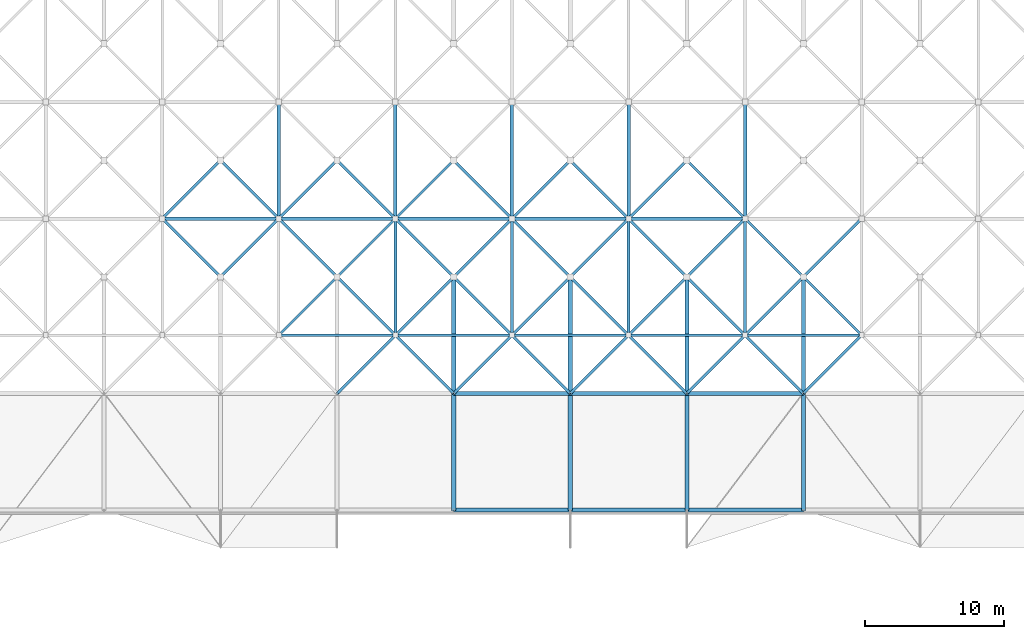
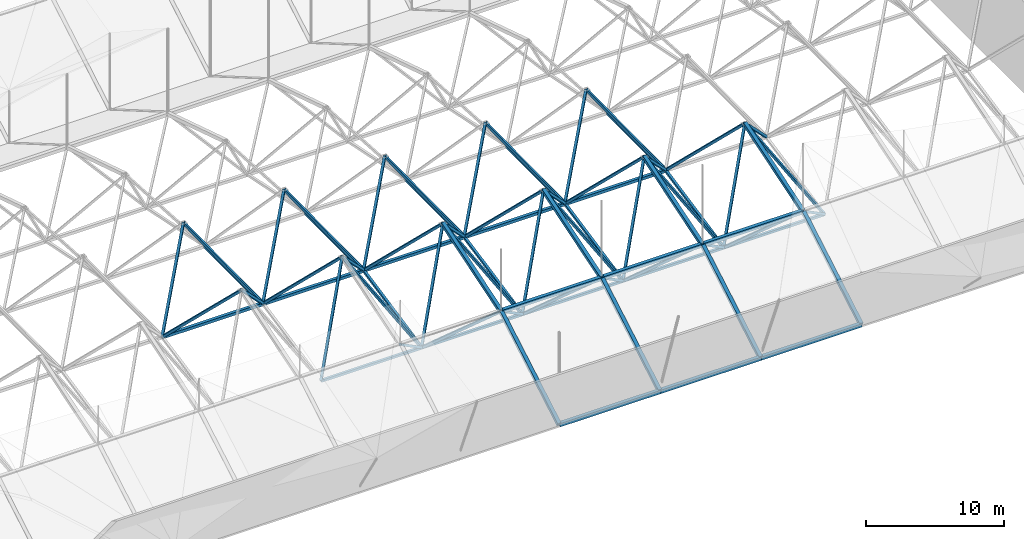
# One storey, part 3 of 111: 74 members.
"""IFC4 building model written with IfcOpenShell, lengths in metres."""

import ifcopenshell
import ifcopenshell.guid

model = None  # the IFC model being written
_history = None  # IfcOwnerHistory: only IFC2X3 demands one
_inside = {}  # id of a spatial element -> (the spatial element, [elements in it])
_under = {}  # id of a project, library or spatial element -> (it, [spatial elements below it])
_declared = {}  # id of a project -> (the project, [libraries it declares])
_typed = {}  # id of a type object -> (the type object, [elements of that type])
_made_of = {}  # id of a material, layer set ... -> (it, [elements and type objects made of it])


def new_model(schema):
    """Start an empty IFC model of exactly this schema.

    Asked for "IFC4X3", IfcOpenShell would pick the latest addendum, in which some entities
    have other attributes; the version numbers below select the first issue.
    IFC2X3 requires an IfcOwnerHistory on every rooted entity: one is made here for all.
    """
    global model, _history
    if schema == "IFC4X3":
        model = ifcopenshell.file(schema_version=(4, 3, 0, 0))
    else:
        model = ifcopenshell.file(schema=schema)
    _inside.clear()
    _under.clear()
    _declared.clear()
    _typed.clear()
    _made_of.clear()
    _history = None
    if model.schema == "IFC2X3":
        org = make("IfcOrganization", Name="unknown")
        user = make(
            "IfcPersonAndOrganization",
            ThePerson=make("IfcPerson", FamilyName="unknown"),
            TheOrganization=org,
        )
        app = make(
            "IfcApplication",
            ApplicationDeveloper=org,
            Version="unknown",
            ApplicationFullName="unknown",
            ApplicationIdentifier="unknown",
        )
        _history = make(
            "IfcOwnerHistory",
            OwningUser=user,
            OwningApplication=app,
            ChangeAction="ADDED",
            CreationDate=0,
        )
    return model


def make(cls, **values):
    """One entity of the class cls with the attributes given. An attribute that is None is left unset."""
    return model.create_entity(
        cls, **{name: value for name, value in values.items() if value is not None}
    )


def rooted(cls, **values):
    """An entity with a GlobalId (a new one), such as an element, a storey or a relation."""
    return make(cls, GlobalId=ifcopenshell.guid.new(), OwnerHistory=_history, **values)


def si_unit(unit_type, name, prefix=None):
    """IfcSIUnit, for example si_unit("LENGTHUNIT", "METRE", prefix="MILLI")."""
    return make("IfcSIUnit", UnitType=unit_type, Prefix=prefix, Name=name)


def assignment(units):
    """IfcUnitAssignment: the units of a project."""
    return None if units is None else make("IfcUnitAssignment", Units=units)


def point(xyz):
    """IfcCartesianPoint."""
    return None if xyz is None else make("IfcCartesianPoint", Coordinates=xyz)


def direction(xyz):
    """IfcDirection."""
    return None if xyz is None else make("IfcDirection", DirectionRatios=xyz)


def frame(location, z_axis=None, x_axis=None):
    """IfcAxis2Placement3D, a coordinate frame: its origin and axes. An axis left out is left unset."""
    return make(
        "IfcAxis2Placement3D",
        Location=point(location),
        Axis=direction(z_axis),
        RefDirection=direction(x_axis),
    )


def frame_2d(location, x_axis=None):
    """IfcAxis2Placement2D, a coordinate frame in the plane: its origin and x axis."""
    return make(
        "IfcAxis2Placement2D", Location=point(location), RefDirection=direction(x_axis)
    )


def origin():
    """The frame at (0, 0, 0) with its axes left unset."""
    return frame((0.0, 0.0, 0.0))


def origin_2d():
    """The frame at (0, 0) in the plane with its x axis left unset."""
    return frame_2d((0.0, 0.0))


def place(relative_to, where):
    """IfcLocalPlacement: puts the frame where relative to a parent placement (None: the world)."""
    return make(
        "IfcLocalPlacement", PlacementRelTo=relative_to, RelativePlacement=where
    )


def context(
    kind, dimensions, precision=None, world=None, true_north=None, identifier=None
):
    """IfcGeometricRepresentationContext, for example the 3D "Model" context."""
    return make(
        "IfcGeometricRepresentationContext",
        ContextIdentifier=identifier,
        ContextType=kind,
        CoordinateSpaceDimension=dimensions,
        Precision=precision,
        WorldCoordinateSystem=world,
        TrueNorth=true_north,
    )


def subcontext(parent, identifier, kind, view, scale=None):
    """IfcGeometricRepresentationSubContext, for example "Body" below "Model"."""
    return make(
        "IfcGeometricRepresentationSubContext",
        ContextIdentifier=identifier,
        ContextType=kind,
        ParentContext=parent,
        TargetScale=scale,
        TargetView=view,
    )


def project(units=None, contexts=None):
    """IfcProject with its units and contexts."""
    return rooted(
        "IfcProject",
        Name="project",
        RepresentationContexts=contexts,
        UnitsInContext=assignment(units),
    )


def spatial(cls, under=None, at=None, **own):
    """A site, building, storey or space (cls), placed at a placement, below another one or the project."""
    s = rooted(cls, ObjectPlacement=at, **own)
    if under is not None:
        _under.setdefault(under.id(), (under, []))[1].append(s)
    return s


def profile(cls, at=None, kind="AREA", **sizes):
    """A parametric profile (cls). Its sizes go by their IFC names, for example OverallWidth=200.0."""
    return make(cls, ProfileType=kind, Position=at, **sizes)


def hollow_rectangle(**sizes):
    """IfcRectangleHollowProfileDef."""
    return profile("IfcRectangleHollowProfileDef", **sizes)


def extrude(swept, where, along, depth):
    """IfcExtrudedAreaSolid: the profile swept, set in the frame where, extruded along a direction by depth."""
    return make(
        "IfcExtrudedAreaSolid",
        SweptArea=swept,
        Position=where,
        ExtrudedDirection=direction(along),
        Depth=depth,
    )


def shape(context_of_items, identifier, shape_type, items):
    """IfcShapeRepresentation: the items that make up one representation, for example the "Body"."""
    return make(
        "IfcShapeRepresentation",
        ContextOfItems=context_of_items,
        RepresentationIdentifier=identifier,
        RepresentationType=shape_type,
        Items=items,
    )


def material(Name=None, Category=None):
    """IfcMaterial."""
    return make("IfcMaterial", Name=Name, Category=Category)


def material_profile(
    of_material, cross_section, Name=None, Category=None, Priority=None
):
    """IfcMaterialProfile: a cross section and its material."""
    return make(
        "IfcMaterialProfile",
        Name=Name,
        Material=of_material,
        Profile=cross_section,
        Priority=Priority,
        Category=Category,
    )


def profile_set(profiles, Name=None, composite=None):
    """IfcMaterialProfileSet."""
    return make(
        "IfcMaterialProfileSet",
        Name=Name,
        MaterialProfiles=profiles,
        CompositeProfile=composite,
    )


def made_of(thing, what):
    """Note that an element or type object is made of a material, layer set ...; save() writes the relation."""
    if what is not None:
        _made_of.setdefault(what.id(), (what, []))[1].append(thing)
    return thing


def type_object(cls, material=None, **own):
    """A type object (cls), such as IfcWallType, which elements share."""
    return made_of(rooted(cls, **own), material)


def element(
    cls,
    number,
    at=None,
    inside=None,
    cuts=None,
    type_object=None,
    material=None,
    context=None,
    identifier="Body",
    shape_type=None,
    held_by="IfcProductDefinitionShape",
    body=None,
    shapes=None,
    **own,
):
    """One element of the class cls, such as IfcWall. Its Tag is "e" and its number.

    at: its placement. inside: the storey or other place that contains it. cuts: it is an
    opening in that element (IfcRelVoidsElement). A single representation is given by context,
    identifier, shape_type and body (its items); several are given by shapes. held_by: the class
    of the entity that holds the representations. save() writes the other relations.
    """
    e = rooted(cls, Tag="e%d" % number, ObjectPlacement=at, **own)
    if body is not None:
        shapes = [shape(context, identifier, shape_type, body)]
    if shapes is not None:
        e.Representation = make(held_by, Representations=shapes)
    if inside is not None:
        _inside.setdefault(inside.id(), (inside, []))[1].append(e)
    if cuts is not None:
        rooted(
            "IfcRelVoidsElement", RelatingBuildingElement=cuts, RelatedOpeningElement=e
        )
    if type_object is not None:
        _typed.setdefault(type_object.id(), (type_object, []))[1].append(e)
    return made_of(e, material)


def aggregate(whole, parts):
    """IfcRelAggregates: a whole, such as a stair, and the parts it consists of."""
    return rooted("IfcRelAggregates", RelatingObject=whole, RelatedObjects=parts)


def save(model, path):
    """Write the relations noted so far, then the file.

    IfcRelAggregates (storeys below a building ...), IfcRelContainedInSpatialStructure (elements
    in a storey), IfcRelDefinesByType, IfcRelAssociatesMaterial and IfcRelDeclares: one each for
    every whole, place, type object, material and project.
    """
    for whole, parts in _under.values():
        aggregate(whole, parts)
    for where, things in _inside.values():
        rooted(
            "IfcRelContainedInSpatialStructure",
            RelatedElements=things,
            RelatingStructure=where,
        )
    for kind, things in _typed.values():
        rooted("IfcRelDefinesByType", RelatedObjects=things, RelatingType=kind)
    for what, things in _made_of.values():
        rooted("IfcRelAssociatesMaterial", RelatedObjects=things, RelatingMaterial=what)
    for by, libraries in _declared.values():
        rooted("IfcRelDeclares", RelatingContext=by, RelatedDefinitions=libraries)
    model.write(path)


model = new_model("IFC4")

# Units and contexts
model_context = context("Model", 3, precision=1e-05, world=origin(), true_north=direction((0.0, 1.0)))
body_context = subcontext(model_context, "Body", "Model", "MODEL_VIEW")
ifc_project = project(units=[si_unit("LENGTHUNIT", "METRE"), si_unit("AREAUNIT", "SQUARE_METRE"), si_unit("VOLUMEUNIT", "CUBIC_METRE"), si_unit("PLANEANGLEUNIT", "RADIAN"), si_unit("MASSUNIT", "GRAM", prefix="KILO")], contexts=[model_context])

# Site, building, storey
site_placement = place(None, origin())
site = spatial("IfcSite", under=ifc_project, at=site_placement, CompositionType="ELEMENT")
building_placement = place(site_placement, origin())
building = spatial("IfcBuilding", under=site, at=building_placement, Name="Rain Tree Exposition and Congress Centre", CompositionType="ELEMENT")
storey_placement = place(building_placement, frame((0.0, 0.0, 19.5)))
storey = spatial("IfcBuildingStorey", under=building, at=storey_placement, Name="RF", CompositionType="ELEMENT", Elevation=19.5)

# Members
ifc_material_1 = material(Name="Steel S355J2H", Category="steel")
ifc_material_profile_1 = material_profile(ifc_material_1, hollow_rectangle(XDim=0.199951171875, YDim=0.199951171875, WallThickness=0.009033203125, at=origin_2d()), Name="RHS 200x200x9")
ifc_profile_set_1 = profile_set([ifc_material_profile_1], Name="Steel S355J2H")
member_type_1 = type_object("IfcMemberType", Name="Steel brace member RHS 200x200x9", PredefinedType="BRACE", material=ifc_profile_set_1)
member_1_placement = place(storey_placement, frame((180.60009765625, 113.39990234375, 0.965087890625), z_axis=(0.459935103496, 0.459961839245, 0.75953591555), x_axis=(-0.707127332136, 0.70708622964, 0.0)))
element("IfcMember", 1, at=member_1_placement, inside=storey, type_object=member_type_1, Name="Diagonal 411", PredefinedType="BRACE", context=body_context, shape_type="SweptSolid", body=[
    extrude(hollow_rectangle(XDim=0.199951171875, YDim=0.199951171875, WallThickness=0.009033203125, at=origin_2d()), origin(), (0.0, 0.0, 1.0), 9.131591796875),
])
for number, where, z_axis, x_axis, name in (
    (2, (189.0, 113.39990234375, 0.965087890625), (-0.573737145755, -0.573737145755, 0.584509516742), (0.707106781187, -0.707106781187, 0.0), "Diagonal 414"),
    (3, (189.0, 113.39990234375, 0.965087890625), (0.573737145755, -0.573737145755, 0.584509516742), (0.707106781187, 0.707106781187, 0.0), "Diagonal 415"),
):
    element("IfcMember", number, at=place(storey_placement, frame(where, z_axis=z_axis, x_axis=x_axis)), inside=storey, type_object=member_type_1, Name=name, PredefinedType="BRACE", context=body_context, shape_type="SweptSolid", body=[
        extrude(hollow_rectangle(XDim=0.199951171875, YDim=0.199951171875, WallThickness=0.009033203125, at=origin_2d()), origin(), (0.0, 0.0, 1.0), 7.3203125),
    ])
for number, where, z_axis, x_axis, name in (
    (4, (189.0, 113.39990234375, 0.965087890625), (-0.459935103496, 0.459961839245, 0.75953591555), (-0.707127332136, -0.70708622964, 0.0), "Diagonal 416"),
    (5, (189.0, 113.39990234375, 0.965087890625), (0.459935103496, 0.459961839245, 0.75953591555), (-0.707127332136, 0.70708622964, 0.0), "Diagonal 417"),
):
    element("IfcMember", number, at=place(storey_placement, frame(where, z_axis=z_axis, x_axis=x_axis)), inside=storey, type_object=member_type_1, Name=name, PredefinedType="BRACE", context=body_context, shape_type="SweptSolid", body=[
        extrude(hollow_rectangle(XDim=0.199951171875, YDim=0.199951171875, WallThickness=0.009033203125, at=origin_2d()), origin(), (0.0, 0.0, 1.0), 9.131591796875),
    ])
member_2_placement = place(storey_placement, frame((197.39990234375, 113.39990234375, 0.965087890625), z_axis=(-0.573737145755, -0.573737145755, 0.584509516742), x_axis=(0.707106781187, -0.707106781187, 0.0)))
element("IfcMember", 6, at=member_2_placement, inside=storey, type_object=member_type_1, Name="Diagonal 420", PredefinedType="BRACE", context=body_context, shape_type="SweptSolid", body=[
    extrude(hollow_rectangle(XDim=0.199951171875, YDim=0.199951171875, WallThickness=0.009033203125, at=origin_2d()), origin(), (0.0, 0.0, 1.0), 7.3203125),
])
member_3_placement = place(storey_placement, frame((197.39990234375, 113.39990234375, 0.965087890625), z_axis=(0.573759517816, -0.573726167461, 0.584498332321), x_axis=(0.70708622964, 0.707127332136, 0.0)))
element("IfcMember", 7, at=member_3_placement, inside=storey, type_object=member_type_1, Name="Diagonal 421", PredefinedType="BRACE", context=body_context, shape_type="SweptSolid", body=[
    extrude(hollow_rectangle(XDim=0.199951171875, YDim=0.199951171875, WallThickness=0.009033203125, at=origin_2d()), origin(), (0.0, 0.0, 1.0), 7.320556640625),
])
member_4_placement = place(storey_placement, frame((197.39990234375, 113.39990234375, 0.965087890625), z_axis=(-0.459935103496, 0.459961839245, 0.75953591555), x_axis=(-0.707127332136, -0.70708622964, 0.0)))
element("IfcMember", 8, at=member_4_placement, inside=storey, type_object=member_type_1, Name="Diagonal 422", PredefinedType="BRACE", context=body_context, shape_type="SweptSolid", body=[
    extrude(hollow_rectangle(XDim=0.199951171875, YDim=0.199951171875, WallThickness=0.009033203125, at=origin_2d()), origin(), (0.0, 0.0, 1.0), 9.131591796875),
])
member_5_placement = place(storey_placement, frame((197.39990234375, 113.39990234375, 0.965087890625), z_axis=(0.459956183168, 0.459956183168, 0.759526575658), x_axis=(-0.707106781187, 0.707106781187, 0.0)))
element("IfcMember", 9, at=member_5_placement, inside=storey, type_object=member_type_1, Name="Diagonal 423", PredefinedType="BRACE", context=body_context, shape_type="SweptSolid", body=[
    extrude(hollow_rectangle(XDim=0.199951171875, YDim=0.199951171875, WallThickness=0.009033203125, at=origin_2d()), origin(), (0.0, 0.0, 1.0), 9.1318359375),
])
for number, where, z_axis, x_axis, name in (
    (10, (205.800048828125, 113.39990234375, 0.965087890625), (-0.573737145755, -0.573737145755, 0.584509516742), (0.707106781187, -0.707106781187, 0.0), "Diagonal 426"),
    (11, (205.800048828125, 113.39990234375, 0.965087890625), (0.573737145755, -0.573737145755, 0.584509516742), (0.707106781187, 0.707106781187, 0.0), "Diagonal 427"),
):
    element("IfcMember", number, at=place(storey_placement, frame(where, z_axis=z_axis, x_axis=x_axis)), inside=storey, type_object=member_type_1, Name=name, PredefinedType="BRACE", context=body_context, shape_type="SweptSolid", body=[
        extrude(hollow_rectangle(XDim=0.199951171875, YDim=0.199951171875, WallThickness=0.009033203125, at=origin_2d()), origin(), (0.0, 0.0, 1.0), 7.3203125),
    ])
for number, where, z_axis, x_axis, name in (
    (12, (205.800048828125, 113.39990234375, 0.965087890625), (-0.459935103496, 0.459961839245, 0.75953591555), (-0.707127332136, -0.70708622964, 0.0), "Diagonal 428"),
    (13, (205.800048828125, 113.39990234375, 0.965087890625), (0.459935103496, 0.459961839245, 0.75953591555), (-0.707127332136, 0.70708622964, 0.0), "Diagonal 429"),
):
    element("IfcMember", number, at=place(storey_placement, frame(where, z_axis=z_axis, x_axis=x_axis)), inside=storey, type_object=member_type_1, Name=name, PredefinedType="BRACE", context=body_context, shape_type="SweptSolid", body=[
        extrude(hollow_rectangle(XDim=0.199951171875, YDim=0.199951171875, WallThickness=0.009033203125, at=origin_2d()), origin(), (0.0, 0.0, 1.0), 9.131591796875),
    ])
for number, where, z_axis, x_axis, name in (
    (14, (214.199951171875, 113.39990234375, 0.965087890625), (-0.573737145755, -0.573737145755, 0.584509516742), (0.707106781187, -0.707106781187, 0.0), "Diagonal 432"),
    (15, (214.199951171875, 113.39990234375, 0.965087890625), (0.573737145755, -0.573737145755, 0.584509516742), (0.707106781187, 0.707106781187, 0.0), "Diagonal 433"),
):
    element("IfcMember", number, at=place(storey_placement, frame(where, z_axis=z_axis, x_axis=x_axis)), inside=storey, type_object=member_type_1, Name=name, PredefinedType="BRACE", context=body_context, shape_type="SweptSolid", body=[
        extrude(hollow_rectangle(XDim=0.199951171875, YDim=0.199951171875, WallThickness=0.009033203125, at=origin_2d()), origin(), (0.0, 0.0, 1.0), 7.3203125),
    ])
for number, where, z_axis, x_axis, name in (
    (16, (214.199951171875, 113.39990234375, 0.965087890625), (-0.459935103496, 0.459961839245, 0.75953591555), (-0.707127332136, -0.70708622964, 0.0), "Diagonal 434"),
    (17, (214.199951171875, 113.39990234375, 0.965087890625), (0.459935103496, 0.459961839245, 0.75953591555), (-0.707127332136, 0.70708622964, 0.0), "Diagonal 435"),
):
    element("IfcMember", number, at=place(storey_placement, frame(where, z_axis=z_axis, x_axis=x_axis)), inside=storey, type_object=member_type_1, Name=name, PredefinedType="BRACE", context=body_context, shape_type="SweptSolid", body=[
        extrude(hollow_rectangle(XDim=0.199951171875, YDim=0.199951171875, WallThickness=0.009033203125, at=origin_2d()), origin(), (0.0, 0.0, 1.0), 9.131591796875),
    ])
member_6_placement = place(storey_placement, frame((222.60009765625, 113.39990234375, 0.965087890625), z_axis=(-0.573759517816, -0.573726167461, 0.584498332321), x_axis=(0.70708622964, -0.707127332136, 0.0)))
element("IfcMember", 18, at=member_6_placement, inside=storey, type_object=member_type_1, Name="Diagonal 438", PredefinedType="BRACE", context=body_context, shape_type="SweptSolid", body=[
    extrude(hollow_rectangle(XDim=0.199951171875, YDim=0.199951171875, WallThickness=0.009033203125, at=origin_2d()), origin(), (0.0, 0.0, 1.0), 7.320556640625),
])
member_7_placement = place(storey_placement, frame((222.60009765625, 113.39990234375, 0.965087890625), z_axis=(-0.459956183168, 0.459956183168, 0.759526575658), x_axis=(-0.707106781187, -0.707106781187, 0.0)))
element("IfcMember", 19, at=member_7_placement, inside=storey, type_object=member_type_1, Name="Diagonal 440", PredefinedType="BRACE", context=body_context, shape_type="SweptSolid", body=[
    extrude(hollow_rectangle(XDim=0.199951171875, YDim=0.199951171875, WallThickness=0.009033203125, at=origin_2d()), origin(), (0.0, 0.0, 1.0), 9.1318359375),
])
member_8_placement = place(storey_placement, frame((172.199951171875, 121.800048828125, 2.68896484375), z_axis=(0.531497919506, -0.531497919506, 0.65956040142), x_axis=(0.707106781187, 0.707106781187, 0.0)))
element("IfcMember", 20, at=member_8_placement, inside=storey, type_object=member_type_1, Name="Diagonal 474", PredefinedType="BRACE", context=body_context, shape_type="SweptSolid", body=[
    extrude(hollow_rectangle(XDim=0.199951171875, YDim=0.199951171875, WallThickness=0.009033203125, at=origin_2d()), origin(), (0.0, 0.0, 1.0), 7.902099609375),
])
member_9_placement = place(storey_placement, frame((172.199951171875, 121.800048828125, 2.68896484375), z_axis=(0.494916318018, 0.494916318018, 0.714223827885), x_axis=(-0.707106781187, 0.707106781187, 0.0)))
element("IfcMember", 21, at=member_9_placement, inside=storey, type_object=member_type_1, Name="Diagonal 476", PredefinedType="BRACE", context=body_context, shape_type="SweptSolid", body=[
    extrude(hollow_rectangle(XDim=0.199951171875, YDim=0.199951171875, WallThickness=0.009033203125, at=origin_2d()), origin(), (0.0, 0.0, 1.0), 8.486083984375),
])
member_10_placement = place(storey_placement, frame((180.60009765625, 121.800048828125, 2.68896484375), z_axis=(-0.531520086899, -0.531489191753, 0.659549570747), x_axis=(0.70708622964, -0.707127332136, 0.0)))
element("IfcMember", 22, at=member_10_placement, inside=storey, type_object=member_type_1, Name="Diagonal 479", PredefinedType="BRACE", context=body_context, shape_type="SweptSolid", body=[
    extrude(hollow_rectangle(XDim=0.199951171875, YDim=0.199951171875, WallThickness=0.009033203125, at=origin_2d()), origin(), (0.0, 0.0, 1.0), 7.90234375),
])
member_11_placement = place(storey_placement, frame((180.60009765625, 121.800048828125, 2.68896484375), z_axis=(0.531497919506, -0.531497919506, 0.65956040142), x_axis=(0.707106781187, 0.707106781187, 0.0)))
element("IfcMember", 23, at=member_11_placement, inside=storey, type_object=member_type_1, Name="Diagonal 480", PredefinedType="BRACE", context=body_context, shape_type="SweptSolid", body=[
    extrude(hollow_rectangle(XDim=0.199951171875, YDim=0.199951171875, WallThickness=0.009033203125, at=origin_2d()), origin(), (0.0, 0.0, 1.0), 7.902099609375),
])
member_12_placement = place(storey_placement, frame((180.60009765625, 121.800048828125, 2.68896484375), z_axis=(-0.494938039954, 0.494909271177, 0.714213658445), x_axis=(-0.70708622964, -0.707127332136, 0.0)))
element("IfcMember", 24, at=member_12_placement, inside=storey, type_object=member_type_1, Name="Diagonal 481", PredefinedType="BRACE", context=body_context, shape_type="SweptSolid", body=[
    extrude(hollow_rectangle(XDim=0.199951171875, YDim=0.199951171875, WallThickness=0.009033203125, at=origin_2d()), origin(), (0.0, 0.0, 1.0), 8.486328125),
])
member_13_placement = place(storey_placement, frame((180.60009765625, 121.800048828125, 2.68896484375), z_axis=(0.494916318018, 0.494916318018, 0.714223827885), x_axis=(-0.707106781187, 0.707106781187, 0.0)))
element("IfcMember", 25, at=member_13_placement, inside=storey, type_object=member_type_1, Name="Diagonal 482", PredefinedType="BRACE", context=body_context, shape_type="SweptSolid", body=[
    extrude(hollow_rectangle(XDim=0.199951171875, YDim=0.199951171875, WallThickness=0.009033203125, at=origin_2d()), origin(), (0.0, 0.0, 1.0), 8.486083984375),
])
for number, where, z_axis, x_axis, name in (
    (26, (189.0, 121.800048828125, 2.68896484375), (-0.531497919506, -0.531497919506, 0.65956040142), (0.707106781187, -0.707106781187, 0.0), "Diagonal 485"),
    (27, (189.0, 121.800048828125, 2.68896484375), (0.531497919506, -0.531497919506, 0.65956040142), (0.707106781187, 0.707106781187, 0.0), "Diagonal 486"),
):
    element("IfcMember", number, at=place(storey_placement, frame(where, z_axis=z_axis, x_axis=x_axis)), inside=storey, type_object=member_type_1, Name=name, PredefinedType="BRACE", context=body_context, shape_type="SweptSolid", body=[
        extrude(hollow_rectangle(XDim=0.199951171875, YDim=0.199951171875, WallThickness=0.009033203125, at=origin_2d()), origin(), (0.0, 0.0, 1.0), 7.902099609375),
    ])
for number, where, z_axis, x_axis, name in (
    (28, (189.0, 121.800048828125, 2.68896484375), (-0.494916318018, 0.494916318018, 0.714223827885), (-0.707106781187, -0.707106781187, 0.0), "Diagonal 487"),
    (29, (189.0, 121.800048828125, 2.68896484375), (0.494916318018, 0.494916318018, 0.714223827885), (-0.707106781187, 0.707106781187, 0.0), "Diagonal 488"),
):
    element("IfcMember", number, at=place(storey_placement, frame(where, z_axis=z_axis, x_axis=x_axis)), inside=storey, type_object=member_type_1, Name=name, PredefinedType="BRACE", context=body_context, shape_type="SweptSolid", body=[
        extrude(hollow_rectangle(XDim=0.199951171875, YDim=0.199951171875, WallThickness=0.009033203125, at=origin_2d()), origin(), (0.0, 0.0, 1.0), 8.486083984375),
    ])
member_14_placement = place(storey_placement, frame((197.39990234375, 121.800048828125, 2.68896484375), z_axis=(-0.531497919506, -0.531497919506, 0.65956040142), x_axis=(0.707106781187, -0.707106781187, 0.0)))
element("IfcMember", 30, at=member_14_placement, inside=storey, type_object=member_type_1, Name="Diagonal 491", PredefinedType="BRACE", context=body_context, shape_type="SweptSolid", body=[
    extrude(hollow_rectangle(XDim=0.199951171875, YDim=0.199951171875, WallThickness=0.009033203125, at=origin_2d()), origin(), (0.0, 0.0, 1.0), 7.902099609375),
])
member_15_placement = place(storey_placement, frame((197.39990234375, 121.800048828125, 2.68896484375), z_axis=(0.531520086899, -0.531489191753, 0.659549570747), x_axis=(0.70708622964, 0.707127332136, 0.0)))
element("IfcMember", 31, at=member_15_placement, inside=storey, type_object=member_type_1, Name="Diagonal 492", PredefinedType="BRACE", context=body_context, shape_type="SweptSolid", body=[
    extrude(hollow_rectangle(XDim=0.199951171875, YDim=0.199951171875, WallThickness=0.009033203125, at=origin_2d()), origin(), (0.0, 0.0, 1.0), 7.90234375),
])
member_16_placement = place(storey_placement, frame((197.39990234375, 121.800048828125, 2.68896484375), z_axis=(-0.494916318018, 0.494916318018, 0.714223827885), x_axis=(-0.707106781187, -0.707106781187, 0.0)))
element("IfcMember", 32, at=member_16_placement, inside=storey, type_object=member_type_1, Name="Diagonal 493", PredefinedType="BRACE", context=body_context, shape_type="SweptSolid", body=[
    extrude(hollow_rectangle(XDim=0.199951171875, YDim=0.199951171875, WallThickness=0.009033203125, at=origin_2d()), origin(), (0.0, 0.0, 1.0), 8.486083984375),
])
member_17_placement = place(storey_placement, frame((197.39990234375, 121.800048828125, 2.68896484375), z_axis=(0.494938039954, 0.494909271177, 0.714213658445), x_axis=(-0.70708622964, 0.707127332136, 0.0)))
element("IfcMember", 33, at=member_17_placement, inside=storey, type_object=member_type_1, Name="Diagonal 494", PredefinedType="BRACE", context=body_context, shape_type="SweptSolid", body=[
    extrude(hollow_rectangle(XDim=0.199951171875, YDim=0.199951171875, WallThickness=0.009033203125, at=origin_2d()), origin(), (0.0, 0.0, 1.0), 8.486328125),
])
for number, where, z_axis, x_axis, name in (
    (34, (205.800048828125, 121.800048828125, 2.68896484375), (-0.531497919506, -0.531497919506, 0.65956040142), (0.707106781187, -0.707106781187, 0.0), "Diagonal 497"),
    (35, (205.800048828125, 121.800048828125, 2.68896484375), (0.531497919506, -0.531497919506, 0.65956040142), (0.707106781187, 0.707106781187, 0.0), "Diagonal 498"),
):
    element("IfcMember", number, at=place(storey_placement, frame(where, z_axis=z_axis, x_axis=x_axis)), inside=storey, type_object=member_type_1, Name=name, PredefinedType="BRACE", context=body_context, shape_type="SweptSolid", body=[
        extrude(hollow_rectangle(XDim=0.199951171875, YDim=0.199951171875, WallThickness=0.009033203125, at=origin_2d()), origin(), (0.0, 0.0, 1.0), 7.902099609375),
    ])
for number, where, z_axis, x_axis, name in (
    (36, (205.800048828125, 121.800048828125, 2.68896484375), (-0.494916318018, 0.494916318018, 0.714223827885), (-0.707106781187, -0.707106781187, 0.0), "Diagonal 499"),
    (37, (205.800048828125, 121.800048828125, 2.68896484375), (0.494916318018, 0.494916318018, 0.714223827885), (-0.707106781187, 0.707106781187, 0.0), "Diagonal 500"),
):
    element("IfcMember", number, at=place(storey_placement, frame(where, z_axis=z_axis, x_axis=x_axis)), inside=storey, type_object=member_type_1, Name=name, PredefinedType="BRACE", context=body_context, shape_type="SweptSolid", body=[
        extrude(hollow_rectangle(XDim=0.199951171875, YDim=0.199951171875, WallThickness=0.009033203125, at=origin_2d()), origin(), (0.0, 0.0, 1.0), 8.486083984375),
    ])
for number, where, z_axis, x_axis, name in (
    (38, (214.199951171875, 121.800048828125, 2.68896484375), (-0.531497919506, -0.531497919506, 0.65956040142), (0.707106781187, -0.707106781187, 0.0), "Diagonal 503"),
    (39, (214.199951171875, 121.800048828125, 2.68896484375), (0.531497919506, -0.531497919506, 0.65956040142), (0.707106781187, 0.707106781187, 0.0), "Diagonal 504"),
):
    element("IfcMember", number, at=place(storey_placement, frame(where, z_axis=z_axis, x_axis=x_axis)), inside=storey, type_object=member_type_1, Name=name, PredefinedType="BRACE", context=body_context, shape_type="SweptSolid", body=[
        extrude(hollow_rectangle(XDim=0.199951171875, YDim=0.199951171875, WallThickness=0.009033203125, at=origin_2d()), origin(), (0.0, 0.0, 1.0), 7.902099609375),
    ])
member_18_placement = place(storey_placement, frame((214.199951171875, 121.800048828125, 2.68896484375), z_axis=(-0.494916318018, 0.494916318018, 0.714223827885), x_axis=(-0.707106781187, -0.707106781187, 0.0)))
element("IfcMember", 40, at=member_18_placement, inside=storey, type_object=member_type_1, Name="Diagonal 505", PredefinedType="BRACE", context=body_context, shape_type="SweptSolid", body=[
    extrude(hollow_rectangle(XDim=0.199951171875, YDim=0.199951171875, WallThickness=0.009033203125, at=origin_2d()), origin(), (0.0, 0.0, 1.0), 8.486083984375),
])
member_19_placement = place(storey_placement, frame((222.60009765625, 121.800048828125, 2.68896484375), z_axis=(-0.531520086899, -0.531489191753, 0.659549570747), x_axis=(0.70708622964, -0.707127332136, 0.0)))
element("IfcMember", 41, at=member_19_placement, inside=storey, type_object=member_type_1, Name="Diagonal 509", PredefinedType="BRACE", context=body_context, shape_type="SweptSolid", body=[
    extrude(hollow_rectangle(XDim=0.199951171875, YDim=0.199951171875, WallThickness=0.009033203125, at=origin_2d()), origin(), (0.0, 0.0, 1.0), 7.90234375),
])
ifc_material_2 = material(Name="Steel S355J2H", Category="steel")
ifc_material_profile_2 = material_profile(ifc_material_2, hollow_rectangle(XDim=0.199951171875, YDim=0.199951171875, WallThickness=0.009033203125, at=origin_2d()), Name="RHS 200x200x9")
ifc_profile_set_2 = profile_set([ifc_material_profile_2], Name="Steel S355J2H")
member_type_2 = type_object("IfcMemberType", Name="Steel chord member RHS 200x200x9", PredefinedType="CHORD", material=ifc_profile_set_2)
for number, where, z_axis, x_axis, name in (
    (42, (180.60009765625, 113.39990234375, 0.965087890625), (1.0, 0.0, 0.0), (0.0, 1.0, 0.0), "Bottom chord 412"),
    (43, (189.0, 113.39990234375, 0.965087890625), (1.0, 0.0, 0.0), (0.0, 1.0, 0.0), "Bottom chord 418"),
):
    element("IfcMember", number, at=place(storey_placement, frame(where, z_axis=z_axis, x_axis=x_axis)), inside=storey, type_object=member_type_2, Name=name, PredefinedType="CHORD", context=body_context, shape_type="SweptSolid", body=[
        extrude(hollow_rectangle(XDim=0.199951171875, YDim=0.199951171875, WallThickness=0.009033203125, at=origin_2d()), origin(), (0.0, 0.0, 1.0), 8.39990234375),
    ])
member_20_placement = place(storey_placement, frame((189.0, 113.39990234375, 0.965087890625), z_axis=(0.0, 0.979585021781, 0.201030308914), x_axis=(-1.0, 0.0, 0.0)))
element("IfcMember", 44, at=member_20_placement, inside=storey, type_object=member_type_2, Name="Bottom chord 419", PredefinedType="CHORD", context=body_context, shape_type="SweptSolid", body=[
    extrude(hollow_rectangle(XDim=0.199951171875, YDim=0.199951171875, WallThickness=0.009033203125, at=origin_2d()), origin(), (0.0, 0.0, 1.0), 8.5751953125),
])
member_21_placement = place(storey_placement, frame((197.39990234375, 113.39990234375, 0.965087890625), z_axis=(1.0, 0.0, 0.0), x_axis=(0.0, 1.0, 0.0)))
element("IfcMember", 45, at=member_21_placement, inside=storey, type_object=member_type_2, Name="Bottom chord 424", PredefinedType="CHORD", context=body_context, shape_type="SweptSolid", body=[
    extrude(hollow_rectangle(XDim=0.199951171875, YDim=0.199951171875, WallThickness=0.009033203125, at=origin_2d()), origin(), (0.0, 0.0, 1.0), 8.400146484375),
])
member_22_placement = place(storey_placement, frame((197.39990234375, 113.39990234375, 0.965087890625), z_axis=(0.0, 0.979585021781, 0.201030308914), x_axis=(-1.0, 0.0, 0.0)))
element("IfcMember", 46, at=member_22_placement, inside=storey, type_object=member_type_2, Name="Bottom chord 425", PredefinedType="CHORD", context=body_context, shape_type="SweptSolid", body=[
    extrude(hollow_rectangle(XDim=0.199951171875, YDim=0.199951171875, WallThickness=0.009033203125, at=origin_2d()), origin(), (0.0, 0.0, 1.0), 8.5751953125),
])
member_23_placement = place(storey_placement, frame((205.800048828125, 113.39990234375, 0.965087890625), z_axis=(1.0, 0.0, 0.0), x_axis=(0.0, 1.0, 0.0)))
element("IfcMember", 47, at=member_23_placement, inside=storey, type_object=member_type_2, Name="Bottom chord 430", PredefinedType="CHORD", context=body_context, shape_type="SweptSolid", body=[
    extrude(hollow_rectangle(XDim=0.199951171875, YDim=0.199951171875, WallThickness=0.009033203125, at=origin_2d()), origin(), (0.0, 0.0, 1.0), 8.39990234375),
])
member_24_placement = place(storey_placement, frame((205.800048828125, 113.39990234375, 0.965087890625), z_axis=(0.0, 0.979585021781, 0.201030308914), x_axis=(-1.0, 0.0, 0.0)))
element("IfcMember", 48, at=member_24_placement, inside=storey, type_object=member_type_2, Name="Bottom chord 431", PredefinedType="CHORD", context=body_context, shape_type="SweptSolid", body=[
    extrude(hollow_rectangle(XDim=0.199951171875, YDim=0.199951171875, WallThickness=0.009033203125, at=origin_2d()), origin(), (0.0, 0.0, 1.0), 8.5751953125),
])
member_25_placement = place(storey_placement, frame((214.199951171875, 113.39990234375, 0.965087890625), z_axis=(1.0, 0.0, 0.0), x_axis=(0.0, 1.0, 0.0)))
element("IfcMember", 49, at=member_25_placement, inside=storey, type_object=member_type_2, Name="Bottom chord 436", PredefinedType="CHORD", context=body_context, shape_type="SweptSolid", body=[
    extrude(hollow_rectangle(XDim=0.199951171875, YDim=0.199951171875, WallThickness=0.009033203125, at=origin_2d()), origin(), (0.0, 0.0, 1.0), 8.400146484375),
])
member_26_placement = place(storey_placement, frame((214.199951171875, 113.39990234375, 0.965087890625), z_axis=(0.0, 0.979585021781, 0.201030308914), x_axis=(-1.0, 0.0, 0.0)))
element("IfcMember", 50, at=member_26_placement, inside=storey, type_object=member_type_2, Name="Bottom chord 437", PredefinedType="CHORD", context=body_context, shape_type="SweptSolid", body=[
    extrude(hollow_rectangle(XDim=0.199951171875, YDim=0.199951171875, WallThickness=0.009033203125, at=origin_2d()), origin(), (0.0, 0.0, 1.0), 8.5751953125),
])
ifc_material_3 = material(Name="Steel S355J2H", Category="steel")
ifc_material_profile_3 = material_profile(ifc_material_3, hollow_rectangle(XDim=0.25, YDim=0.25, WallThickness=0.006103515625, at=origin_2d()), Name="RHS 250x250x6")
ifc_profile_set_3 = profile_set([ifc_material_profile_3], Name="Steel S355J2H")
member_type_3 = type_object("IfcMemberType", Name="Steel chord member RHS 250x250x6", PredefinedType="CHORD", material=ifc_profile_set_3)
member_27_placement = place(storey_placement, frame((172.199951171875, 121.800048828125, 2.68896484375), z_axis=(1.0, 0.0, 0.0), x_axis=(0.0, 1.0, 0.0)))
element("IfcMember", 51, at=member_27_placement, inside=storey, type_object=member_type_3, Name="Bottom chord 477", PredefinedType="CHORD", context=body_context, shape_type="SweptSolid", body=[
    extrude(hollow_rectangle(XDim=0.25, YDim=0.25, WallThickness=0.006103515625, at=origin_2d()), origin(), (0.0, 0.0, 1.0), 8.400146484375),
])
for number, where, z_axis, x_axis, name in (
    (52, (180.60009765625, 121.800048828125, 2.68896484375), (1.0, 0.0, 0.0), (0.0, 1.0, 0.0), "Bottom chord 483"),
    (53, (180.60009765625, 121.800048828125, 2.68896484375), (0.0, 1.0, 0.0), (-1.0, 0.0, 0.0), "Bottom chord 484"),
    (54, (189.0, 121.800048828125, 2.68896484375), (1.0, 0.0, 0.0), (0.0, 1.0, 0.0), "Bottom chord 489"),
    (55, (189.0, 121.800048828125, 2.68896484375), (0.0, 1.0, 0.0), (-1.0, 0.0, 0.0), "Bottom chord 490"),
):
    element("IfcMember", number, at=place(storey_placement, frame(where, z_axis=z_axis, x_axis=x_axis)), inside=storey, type_object=member_type_3, Name=name, PredefinedType="CHORD", context=body_context, shape_type="SweptSolid", body=[
        extrude(hollow_rectangle(XDim=0.25, YDim=0.25, WallThickness=0.006103515625, at=origin_2d()), origin(), (0.0, 0.0, 1.0), 8.39990234375),
    ])
member_28_placement = place(storey_placement, frame((197.39990234375, 121.800048828125, 2.68896484375), z_axis=(1.0, 0.0, 0.0), x_axis=(0.0, 1.0, 0.0)))
element("IfcMember", 56, at=member_28_placement, inside=storey, type_object=member_type_3, Name="Bottom chord 495", PredefinedType="CHORD", context=body_context, shape_type="SweptSolid", body=[
    extrude(hollow_rectangle(XDim=0.25, YDim=0.25, WallThickness=0.006103515625, at=origin_2d()), origin(), (0.0, 0.0, 1.0), 8.400146484375),
])
for number, where, z_axis, x_axis, name in (
    (57, (197.39990234375, 121.800048828125, 2.68896484375), (0.0, 1.0, 0.0), (-1.0, 0.0, 0.0), "Bottom chord 496"),
    (58, (205.800048828125, 121.800048828125, 2.68896484375), (1.0, 0.0, 0.0), (0.0, 1.0, 0.0), "Bottom chord 501"),
    (59, (205.800048828125, 121.800048828125, 2.68896484375), (0.0, 1.0, 0.0), (-1.0, 0.0, 0.0), "Bottom chord 502"),
    (60, (214.199951171875, 121.800048828125, 2.68896484375), (0.0, 1.0, 0.0), (-1.0, 0.0, 0.0), "Bottom chord 508"),
):
    element("IfcMember", number, at=place(storey_placement, frame(where, z_axis=z_axis, x_axis=x_axis)), inside=storey, type_object=member_type_3, Name=name, PredefinedType="CHORD", context=body_context, shape_type="SweptSolid", body=[
        extrude(hollow_rectangle(XDim=0.25, YDim=0.25, WallThickness=0.006103515625, at=origin_2d()), origin(), (0.0, 0.0, 1.0), 8.39990234375),
    ])
ifc_material_4 = material(Name="Steel S355J2H", Category="steel")
ifc_material_profile_4 = material_profile(ifc_material_4, hollow_rectangle(XDim=0.300048828125, YDim=0.300048828125, WallThickness=0.009033203125, at=origin_2d()), Name="RHS 300x300x9")
ifc_profile_set_4 = profile_set([ifc_material_profile_4], Name="Steel S355J2H")
member_type_4 = type_object("IfcMemberType", Name="Steel chord member RHS 300x300x9", PredefinedType="CHORD", material=ifc_profile_set_4)
member_29_placement = place(storey_placement, frame((193.199951171875, 100.800048828125, 0.35009765625), z_axis=(1.0, 0.0, 0.0), x_axis=(0.0, 1.0, 0.0)))
element("IfcMember", 61, at=member_29_placement, inside=storey, type_object=member_type_4, Name="Top chord 7", PredefinedType="CHORD", context=body_context, shape_type="SweptSolid", body=[
    extrude(hollow_rectangle(XDim=0.300048828125, YDim=0.300048828125, WallThickness=0.009033203125, at=origin_2d()), origin(), (0.0, 0.0, 1.0), 8.400146484375),
])
for number, where, z_axis, x_axis, name in (
    (62, (201.60009765625, 100.800048828125, 0.35009765625), (1.0, 0.0, 0.0), (0.0, 1.0, 0.0), "Top chord 8"),
    (63, (210.0, 100.800048828125, 0.35009765625), (1.0, 0.0, 0.0), (0.0, 1.0, 0.0), "Top chord 9"),
):
    element("IfcMember", number, at=place(storey_placement, frame(where, z_axis=z_axis, x_axis=x_axis)), inside=storey, type_object=member_type_4, Name=name, PredefinedType="CHORD", context=body_context, shape_type="SweptSolid", body=[
        extrude(hollow_rectangle(XDim=0.300048828125, YDim=0.300048828125, WallThickness=0.009033203125, at=origin_2d()), origin(), (0.0, 0.0, 1.0), 8.39990234375),
    ])
member_30_placement = place(storey_placement, frame((193.199951171875, 109.199951171875, 5.243896484375), z_axis=(1.0, 0.0, 0.0), x_axis=(0.0, 1.0, 0.0)))
element("IfcMember", 64, at=member_30_placement, inside=storey, type_object=member_type_4, Name="Top chord 19", PredefinedType="CHORD", context=body_context, shape_type="SweptSolid", body=[
    extrude(hollow_rectangle(XDim=0.300048828125, YDim=0.300048828125, WallThickness=0.009033203125, at=origin_2d()), origin(), (0.0, 0.0, 1.0), 8.400146484375),
])
for number, where, z_axis, x_axis, name in (
    (65, (201.60009765625, 109.199951171875, 5.243896484375), (1.0, 0.0, 0.0), (0.0, 1.0, 0.0), "Top chord 20"),
    (66, (210.0, 109.199951171875, 5.243896484375), (1.0, 0.0, 0.0), (0.0, 1.0, 0.0), "Top chord 21"),
):
    element("IfcMember", number, at=place(storey_placement, frame(where, z_axis=z_axis, x_axis=x_axis)), inside=storey, type_object=member_type_4, Name=name, PredefinedType="CHORD", context=body_context, shape_type="SweptSolid", body=[
        extrude(hollow_rectangle(XDim=0.300048828125, YDim=0.300048828125, WallThickness=0.009033203125, at=origin_2d()), origin(), (0.0, 0.0, 1.0), 8.39990234375),
    ])
member_31_placement = place(storey_placement, frame((193.199951171875, 100.800048828125, 0.35009765625), z_axis=(0.0, 0.864053849191, 0.503399389846), x_axis=(-1.0, 0.0, 0.0)))
element("IfcMember", 67, at=member_31_placement, inside=storey, type_object=member_type_4, Name="Top chord 229", PredefinedType="CHORD", context=body_context, shape_type="SweptSolid", body=[
    extrude(hollow_rectangle(XDim=0.300048828125, YDim=0.300048828125, WallThickness=0.009033203125, at=origin_2d()), origin(), (0.0, 0.0, 1.0), 9.721435546875),
])
member_32_placement = place(storey_placement, frame((193.199951171875, 109.199951171875, 5.243896484375), z_axis=(0.0, 0.953442263101, 0.301575613955), x_axis=(-1.0, 0.0, 0.0)))
element("IfcMember", 68, at=member_32_placement, inside=storey, type_object=member_type_4, Name="Top chord 230", PredefinedType="CHORD", context=body_context, shape_type="SweptSolid", body=[
    extrude(hollow_rectangle(XDim=0.300048828125, YDim=0.300048828125, WallThickness=0.009033203125, at=origin_2d()), origin(), (0.0, 0.0, 1.0), 8.810302734375),
])
member_33_placement = place(storey_placement, frame((201.60009765625, 100.800048828125, 0.35009765625), z_axis=(0.0, 0.864053849191, 0.503399389846), x_axis=(-1.0, 0.0, 0.0)))
element("IfcMember", 69, at=member_33_placement, inside=storey, type_object=member_type_4, Name="Top chord 241", PredefinedType="CHORD", context=body_context, shape_type="SweptSolid", body=[
    extrude(hollow_rectangle(XDim=0.300048828125, YDim=0.300048828125, WallThickness=0.009033203125, at=origin_2d()), origin(), (0.0, 0.0, 1.0), 9.721435546875),
])
member_34_placement = place(storey_placement, frame((201.60009765625, 109.199951171875, 5.243896484375), z_axis=(0.0, 0.953442263101, 0.301575613955), x_axis=(-1.0, 0.0, 0.0)))
element("IfcMember", 70, at=member_34_placement, inside=storey, type_object=member_type_4, Name="Top chord 242", PredefinedType="CHORD", context=body_context, shape_type="SweptSolid", body=[
    extrude(hollow_rectangle(XDim=0.300048828125, YDim=0.300048828125, WallThickness=0.009033203125, at=origin_2d()), origin(), (0.0, 0.0, 1.0), 8.810302734375),
])
member_35_placement = place(storey_placement, frame((210.0, 100.800048828125, 0.35009765625), z_axis=(0.0, 0.864053849191, 0.503399389846), x_axis=(-1.0, 0.0, 0.0)))
element("IfcMember", 71, at=member_35_placement, inside=storey, type_object=member_type_4, Name="Top chord 253", PredefinedType="CHORD", context=body_context, shape_type="SweptSolid", body=[
    extrude(hollow_rectangle(XDim=0.300048828125, YDim=0.300048828125, WallThickness=0.009033203125, at=origin_2d()), origin(), (0.0, 0.0, 1.0), 9.721435546875),
])
member_36_placement = place(storey_placement, frame((210.0, 109.199951171875, 5.243896484375), z_axis=(0.0, 0.953442263101, 0.301575613955), x_axis=(-1.0, 0.0, 0.0)))
element("IfcMember", 72, at=member_36_placement, inside=storey, type_object=member_type_4, Name="Top chord 254", PredefinedType="CHORD", context=body_context, shape_type="SweptSolid", body=[
    extrude(hollow_rectangle(XDim=0.300048828125, YDim=0.300048828125, WallThickness=0.009033203125, at=origin_2d()), origin(), (0.0, 0.0, 1.0), 8.810302734375),
])
member_37_placement = place(storey_placement, frame((218.39990234375, 100.800048828125, 0.35009765625), z_axis=(0.0, 0.864053849191, 0.503399389846), x_axis=(-1.0, 0.0, 0.0)))
element("IfcMember", 73, at=member_37_placement, inside=storey, type_object=member_type_4, Name="Top chord 265", PredefinedType="CHORD", context=body_context, shape_type="SweptSolid", body=[
    extrude(hollow_rectangle(XDim=0.300048828125, YDim=0.300048828125, WallThickness=0.009033203125, at=origin_2d()), origin(), (0.0, 0.0, 1.0), 9.721435546875),
])
member_38_placement = place(storey_placement, frame((218.39990234375, 109.199951171875, 5.243896484375), z_axis=(0.0, 0.953442263101, 0.301575613955), x_axis=(-1.0, 0.0, 0.0)))
element("IfcMember", 74, at=member_38_placement, inside=storey, type_object=member_type_4, Name="Top chord 266", PredefinedType="CHORD", context=body_context, shape_type="SweptSolid", body=[
    extrude(hollow_rectangle(XDim=0.300048828125, YDim=0.300048828125, WallThickness=0.009033203125, at=origin_2d()), origin(), (0.0, 0.0, 1.0), 8.810302734375),
])

save(model, "model.ifc")
